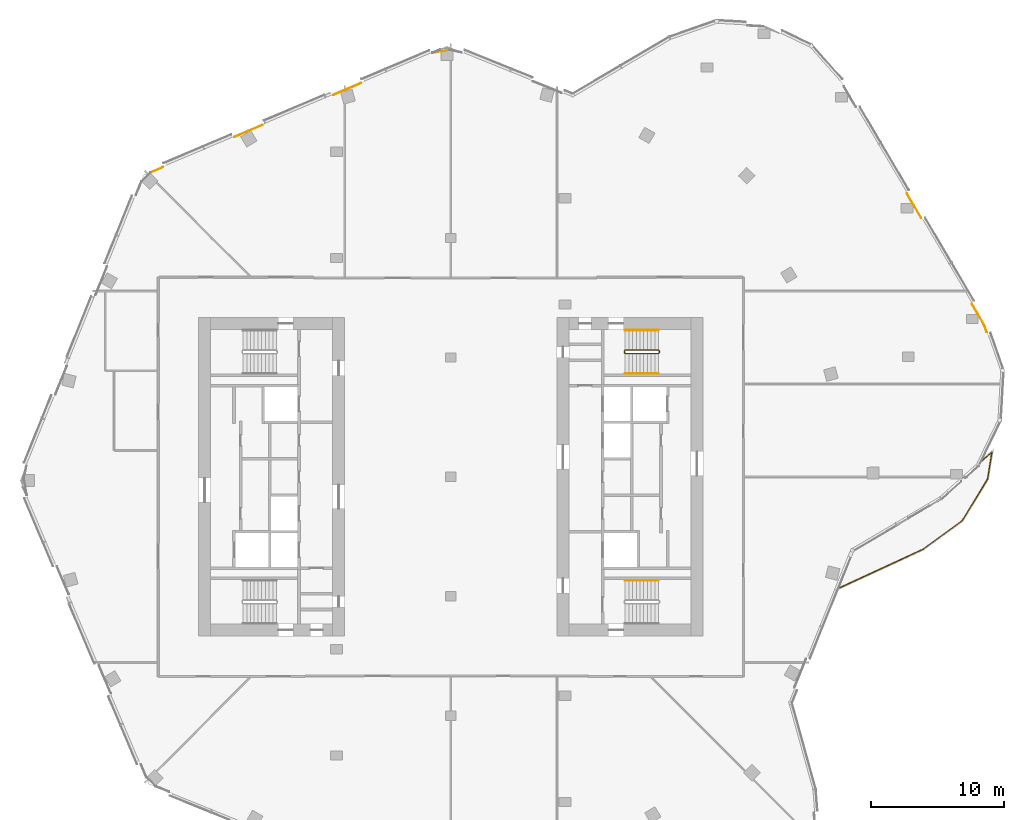
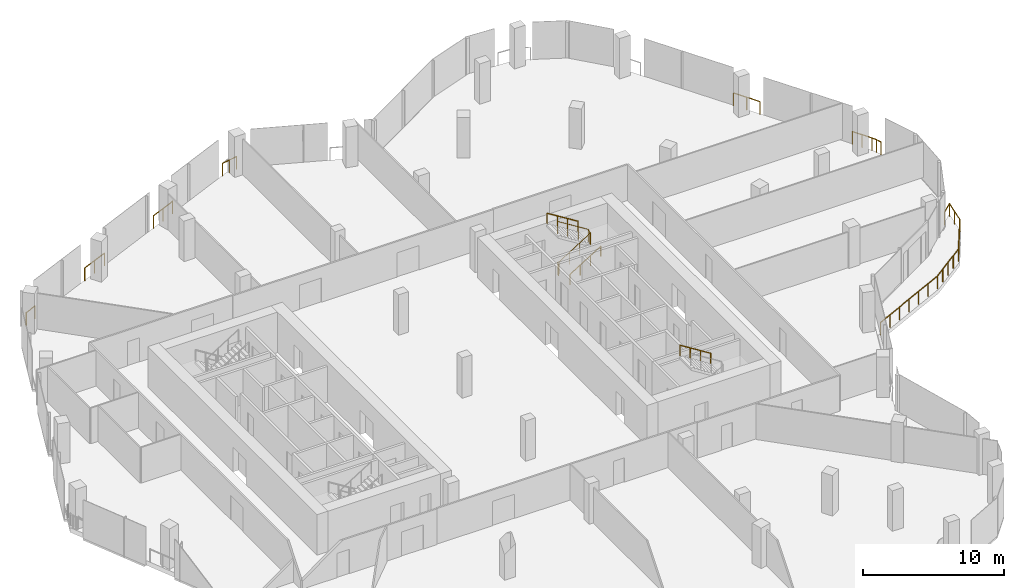
# One storey, part 25 of 26: 11 railings.
"""IFC4 building model written with IfcOpenShell, lengths in metres."""

from ifc_helpers import new_model, si_unit, direction, frame, origin, origin_2d, place, context, subcontext, project, spatial, circle, extrude, material, type_object, element, save


model = new_model("IFC4")

# Units and contexts
model_context = context("Model", 3, precision=1e-05, world=origin(), true_north=direction((0.0, 1.0)))
body_context = subcontext(model_context, "Body", "Model", "MODEL_VIEW")
ifc_project = project(units=[si_unit("LENGTHUNIT", "METRE"), si_unit("AREAUNIT", "SQUARE_METRE"), si_unit("VOLUMEUNIT", "CUBIC_METRE"), si_unit("PLANEANGLEUNIT", "RADIAN"), si_unit("MASSUNIT", "GRAM", prefix="KILO")], contexts=[model_context])

# Site, building, storey
site_placement = place(None, origin())
site = spatial("IfcSite", under=ifc_project, at=site_placement, CompositionType="ELEMENT")
building_placement = place(site_placement, origin())
building = spatial("IfcBuilding", under=site, at=building_placement, Name="Orlundy Tower", CompositionType="ELEMENT")
storey_placement = place(building_placement, frame((0.0, 0.0, 275.39990234375)))
storey = spatial("IfcBuildingStorey", under=building, at=storey_placement, Name="L73", CompositionType="ELEMENT", Elevation=275.39990234375)

# Railings
ifc_material_1 = material(Name="Steel balustrade", Category="steel")
railing_type_1 = type_object("IfcRailingType", Name="Stair Guard 1100", PredefinedType="GUARDRAIL", material=ifc_material_1)
railing_1_placement = place(storey_placement, frame((13.090087890625, 9.35009765625, 0.0)))
element("IfcRailing", 1, at=railing_1_placement, inside=storey, type_object=railing_type_1, Name="L73 ST-E2 stair guard 1", PredefinedType="GUARDRAIL", context=body_context, shape_type="SweptSolid", body=[
    extrude(circle(Radius=0.02392578125, at=origin_2d()), frame((0.0, 0.0, 1.076171875), z_axis=(0.0, 1.0, 0.0), x_axis=(-1.0, 0.0, 0.0)), (0.0, 0.0, 1.0), 0.14990234375),
    extrude(circle(Radius=0.02392578125, at=origin_2d()), frame((0.0, 0.14990234375, 1.076171875), z_axis=(0.18420542264, -0.739530593833, 0.647427882513), x_axis=(0.970351222016, 0.241699205484, 0.0)), (0.0, 0.0, 1.0), 0.270263671875),
    extrude(circle(Radius=0.02392578125, at=origin_2d()), frame((0.0498046875, -0.050048828125, 1.2509765625), z_axis=(0.848007534815, 0.0, 0.529984170421), x_axis=(0.0, 1.0, 0.0)), (0.0, 0.0, 1.0), 2.9716796875),
    extrude(circle(Radius=0.02392578125, at=origin_2d()), frame((2.56982421875, -0.050048828125, 2.826171875), z_axis=(0.707106781187, 0.707106781187, 0.0), x_axis=(-0.707106781187, 0.707106781187, 0.0)), (0.0, 0.0, 1.0), 0.07080078125),
    extrude(circle(Radius=0.02392578125, at=origin_2d()), frame((2.619873046875, 0.0, 2.826171875), z_axis=(0.0, 1.0, 0.0), x_axis=(-1.0, 0.0, 0.0)), (0.0, 0.0, 1.0), 0.14990234375),
    extrude(circle(Radius=0.02392578125, at=origin_2d()), frame((2.619873046875, 0.14990234375, 2.826171875), z_axis=(-0.265065253269, 0.265065253269, 0.927081885822), x_axis=(-0.707106781187, -0.707106781187, 0.0)), (0.0, 0.0, 1.0), 0.188720703125),
    extrude(circle(Radius=0.02392578125, at=origin_2d()), frame((2.56982421875, 0.199951171875, 3.0009765625), z_axis=(-0.848007534815, 0.0, 0.529984170421), x_axis=(0.0, -1.0, 0.0)), (0.0, 0.0, 1.0), 2.9716796875),
    extrude(circle(Radius=0.02099609375, at=origin_2d()), origin(), (0.0, 0.0, 1.0), 1.052001953125),
    extrude(circle(Radius=0.02099609375, at=origin_2d()), frame((0.0, 0.14990234375, 0.0)), (0.0, 0.0, 1.0), 1.052001953125),
    extrude(circle(Radius=0.02099609375, at=origin_2d()), frame((0.0498046875, -0.050048828125, 0.175048828125)), (0.0, 0.0, 1.0), 1.052001953125),
    extrude(circle(Radius=0.02099609375, at=origin_2d()), frame((0.889892578125, -0.050048828125, 0.699951171875)), (0.0, 0.0, 1.0), 1.052001953125),
    extrude(circle(Radius=0.02099609375, at=origin_2d()), frame((1.729736328125, -0.050048828125, 1.22509765625)), (0.0, 0.0, 1.0), 1.052001953125),
    extrude(circle(Radius=0.02099609375, at=origin_2d()), frame((2.56982421875, -0.050048828125, 1.75)), (0.0, 0.0, 1.0), 1.052001953125),
    extrude(circle(Radius=0.02099609375, at=origin_2d()), frame((2.619873046875, 0.0, 1.75)), (0.0, 0.0, 1.0), 1.052001953125),
    extrude(circle(Radius=0.02099609375, at=origin_2d()), frame((2.619873046875, 0.14990234375, 1.75)), (0.0, 0.0, 1.0), 1.052001953125),
    extrude(circle(Radius=0.02099609375, at=origin_2d()), frame((2.56982421875, 0.199951171875, 1.925048828125)), (0.0, 0.0, 1.0), 1.052001953125),
    extrude(circle(Radius=0.02099609375, at=origin_2d()), frame((1.729736328125, 0.199951171875, 2.449951171875)), (0.0, 0.0, 1.0), 1.052001953125),
    extrude(circle(Radius=0.02099609375, at=origin_2d()), frame((0.889892578125, 0.199951171875, 2.97509765625)), (0.0, 0.0, 1.0), 1.052001953125),
    extrude(circle(Radius=0.02099609375, at=origin_2d()), frame((0.0498046875, 0.199951171875, 3.5)), (0.0, 0.0, 1.0), 1.052001953125),
])
ifc_material_2 = material(Name="Steel handrail", Category="steel")
railing_type_2 = type_object("IfcRailingType", Name="Stair Handrail 900", PredefinedType="HANDRAIL", material=ifc_material_2)
railing_2_placement = place(storey_placement, frame((15.659912109375, -7.800048828125, 1.925048828125)))
element("IfcRailing", 2, at=railing_2_placement, inside=storey, type_object=railing_type_2, Name="L73 ST-E1 stair handrail 2", PredefinedType="HANDRAIL", context=body_context, shape_type="SweptSolid", body=[
    extrude(circle(Radius=0.02392578125, at=origin_2d()), frame((0.0, 0.0, 0.8759765625), z_axis=(-0.848007534815, 0.0, 0.529984170421), x_axis=(0.0, -1.0, 0.0)), (0.0, 0.0, 1.0), 2.9716796875),
    extrude(circle(Radius=0.02099609375, at=origin_2d()), origin(), (0.0, 0.0, 1.0), 0.851806640625),
    extrude(circle(Radius=0.02099609375, at=origin_2d()), frame((-0.840087890625, 0.0, 0.52490234375)), (0.0, 0.0, 1.0), 0.851806640625),
    extrude(circle(Radius=0.02099609375, at=origin_2d()), frame((-1.679931640625, 0.0, 1.050048828125)), (0.0, 0.0, 1.0), 0.851806640625),
    extrude(circle(Radius=0.02099609375, at=origin_2d()), frame((-2.52001953125, 0.0, 1.574951171875)), (0.0, 0.0, 1.0), 0.851806640625),
])
railing_3_placement = place(storey_placement, frame((13.139892578125, 7.800048828125, 0.175048828125)))
element("IfcRailing", 3, at=railing_3_placement, inside=storey, type_object=railing_type_2, Name="L73 ST-E2 stair handrail 1", PredefinedType="HANDRAIL", context=body_context, shape_type="SweptSolid", body=[
    extrude(circle(Radius=0.02392578125, at=origin_2d()), frame((0.0, 0.0, 0.8759765625), z_axis=(0.848007534815, 0.0, 0.529984170421), x_axis=(0.0, 1.0, 0.0)), (0.0, 0.0, 1.0), 2.9716796875),
    extrude(circle(Radius=0.02099609375, at=origin_2d()), origin(), (0.0, 0.0, 1.0), 0.851806640625),
    extrude(circle(Radius=0.02099609375, at=origin_2d()), frame((0.840087890625, 0.0, 0.52490234375)), (0.0, 0.0, 1.0), 0.851806640625),
    extrude(circle(Radius=0.02099609375, at=origin_2d()), frame((1.679931640625, 0.0, 1.050048828125)), (0.0, 0.0, 1.0), 0.851806640625),
    extrude(circle(Radius=0.02099609375, at=origin_2d()), frame((2.52001953125, 0.0, 1.574951171875)), (0.0, 0.0, 1.0), 0.851806640625),
])
railing_4_placement = place(storey_placement, frame((15.659912109375, 11.050048828125, 1.925048828125)))
element("IfcRailing", 4, at=railing_4_placement, inside=storey, type_object=railing_type_2, Name="L73 ST-E2 stair handrail 2", PredefinedType="HANDRAIL", context=body_context, shape_type="SweptSolid", body=[
    extrude(circle(Radius=0.02392578125, at=origin_2d()), frame((0.0, 0.0, 0.8759765625), z_axis=(-0.848007534815, 0.0, 0.529984170421), x_axis=(0.0, -1.0, 0.0)), (0.0, 0.0, 1.0), 2.9716796875),
    extrude(circle(Radius=0.02099609375, at=origin_2d()), origin(), (0.0, 0.0, 1.0), 0.851806640625),
    extrude(circle(Radius=0.02099609375, at=origin_2d()), frame((-0.840087890625, 0.0, 0.52490234375)), (0.0, 0.0, 1.0), 0.851806640625),
    extrude(circle(Radius=0.02099609375, at=origin_2d()), frame((-1.679931640625, 0.0, 1.050048828125)), (0.0, 0.0, 1.0), 0.851806640625),
    extrude(circle(Radius=0.02099609375, at=origin_2d()), frame((-2.52001953125, 0.0, 1.574951171875)), (0.0, 0.0, 1.0), 0.851806640625),
])
ifc_material_3 = material(Name="Stainless steel bronze finish", Category="steel")
railing_type_3 = type_object("IfcRailingType", Name="TG1 terrace guard", PredefinedType="GUARDRAIL", material=ifc_material_3)
railing_5_placement = place(storey_placement, frame((39.2880859375, 13.01953125, 0.0)))
element("IfcRailing", 5, at=railing_5_placement, inside=storey, type_object=railing_type_3, Name="Guard TG-L73-E02", PredefinedType="GUARDRAIL", context=body_context, shape_type="SweptSolid", body=[
    extrude(circle(Radius=0.02490234375, at=origin_2d()), frame((0.0, 0.0, 1.09521484375), z_axis=(0.507608230136, -0.861588001715, 0.0), x_axis=(0.861588001715, 0.507608230136, 0.0)), (0.0, 0.0, 1.0), 1.578125),
    extrude(circle(Radius=0.02490234375, at=origin_2d()), frame((0.801025390625, -1.359619140625, 1.09521484375), z_axis=(0.420486139616, -0.907298961969, 0.0), x_axis=(0.907298961969, 0.420486139616, 0.0)), (0.0, 0.0, 1.0), 0.39013671875),
    extrude(circle(Radius=0.02490234375, at=origin_2d()), frame((0.965087890625, -1.713623046875, 1.09521484375), z_axis=(0.32958568732, -0.944125666802, 0.0), x_axis=(0.944125666802, 0.32958568732, 0.0)), (0.0, 0.0, 1.0), 0.4267578125),
    extrude(circle(Radius=0.02001953125, at=origin_2d()), origin(), (0.0, 0.0, 1.0), 1.070068359375),
    extrude(circle(Radius=0.02001953125, at=origin_2d()), frame((0.400390625, -0.6796875, 0.0)), (0.0, 0.0, 1.0), 1.070068359375),
    extrude(circle(Radius=0.02001953125, at=origin_2d()), frame((0.801025390625, -1.359619140625, 0.0)), (0.0, 0.0, 1.0), 1.070068359375),
    extrude(circle(Radius=0.02001953125, at=origin_2d()), frame((0.965087890625, -1.713623046875, 0.0)), (0.0, 0.0, 1.0), 1.070068359375),
    extrude(circle(Radius=0.02001953125, at=origin_2d()), frame((1.105712890625, -2.116455078125, 0.0)), (0.0, 0.0, 1.0), 1.070068359375),
])
railing_6_placement = place(storey_placement, frame((-16.309326171875, 25.625, 0.0)))
element("IfcRailing", 6, at=railing_6_placement, inside=storey, type_object=railing_type_3, Name="Guard TG-L73-E06", PredefinedType="GUARDRAIL", context=body_context, shape_type="SweptSolid", body=[
    extrude(circle(Radius=0.02490234375, at=origin_2d()), frame((0.0, 0.0, 1.09521484375), z_axis=(0.920551905962, 0.390620261162, 0.0), x_axis=(-0.390620261162, 0.920551905962, 0.0)), (0.0, 0.0, 1.0), 2.31494140625),
    extrude(circle(Radius=0.02001953125, at=origin_2d()), origin(), (0.0, 0.0, 1.0), 1.070068359375),
    extrude(circle(Radius=0.02001953125, at=origin_2d()), frame((1.0654296875, 0.4521484375, 0.0)), (0.0, 0.0, 1.0), 1.070068359375),
    extrude(circle(Radius=0.02001953125, at=origin_2d()), frame((2.131103515625, 0.904296875, 0.0)), (0.0, 0.0, 1.0), 1.070068359375),
])
railing_7_placement = place(storey_placement, frame((-8.836181640625, 28.796875, 0.0)))
element("IfcRailing", 7, at=railing_7_placement, inside=storey, type_object=railing_type_3, Name="Guard TG-L73-E011", PredefinedType="GUARDRAIL", context=body_context, shape_type="SweptSolid", body=[
    extrude(circle(Radius=0.02490234375, at=origin_2d()), frame((0.0, 0.0, 1.09521484375), z_axis=(0.920488250877, 0.390770239396, 0.0), x_axis=(-0.390770239396, 0.920488250877, 0.0)), (0.0, 0.0, 1.0), 2.247314453125),
    extrude(circle(Radius=0.02001953125, at=origin_2d()), origin(), (0.0, 0.0, 1.0), 1.070068359375),
    extrude(circle(Radius=0.02001953125, at=origin_2d()), frame((1.0341796875, 0.43896484375, 0.0)), (0.0, 0.0, 1.0), 1.070068359375),
    extrude(circle(Radius=0.02001953125, at=origin_2d()), frame((2.068603515625, 0.878173828125, 0.0)), (0.0, 0.0, 1.0), 1.070068359375),
])
railing_8_placement = place(storey_placement, frame((34.371826171875, 21.365966796875, 0.0)))
element("IfcRailing", 8, at=railing_8_placement, inside=storey, type_object=railing_type_3, Name="Guard TG-L73-E012", PredefinedType="GUARDRAIL", context=body_context, shape_type="SweptSolid", body=[
    extrude(circle(Radius=0.02490234375, at=origin_2d()), frame((0.0, 0.0, 1.09521484375), z_axis=(0.507560302161, -0.861616236889, 0.0), x_axis=(0.861616236889, 0.507560302161, 0.0)), (0.0, 0.0, 1.0), 2.1328125),
    extrude(circle(Radius=0.02001953125, at=origin_2d()), origin(), (0.0, 0.0, 1.0), 1.070068359375),
    extrude(circle(Radius=0.02001953125, at=origin_2d()), frame((0.541259765625, -0.9189453125, 0.0)), (0.0, 0.0, 1.0), 1.070068359375),
    extrude(circle(Radius=0.02001953125, at=origin_2d()), frame((1.08251953125, -1.837646484375, 0.0)), (0.0, 0.0, 1.0), 1.070068359375),
])
railing_9_placement = place(storey_placement, frame((-1.37548828125, 31.9638671875, 0.0)))
element("IfcRailing", 9, at=railing_9_placement, inside=storey, type_object=railing_type_3, Name="Guard TG-L73-E018", PredefinedType="GUARDRAIL", context=body_context, shape_type="SweptSolid", body=[
    extrude(circle(Radius=0.02490234375, at=origin_2d()), frame((0.0, 0.0, 1.09521484375), z_axis=(0.985654147137, 0.168777671009, 0.0), x_axis=(-0.168777671009, 0.985654147137, 0.0)), (0.0, 0.0, 1.0), 1.310546875),
    extrude(circle(Radius=0.02001953125, at=origin_2d()), origin(), (0.0, 0.0, 1.0), 1.070068359375),
    extrude(circle(Radius=0.02001953125, at=origin_2d()), frame((0.64599609375, 0.110595703125, 0.0)), (0.0, 0.0, 1.0), 1.070068359375),
    extrude(circle(Radius=0.02001953125, at=origin_2d()), frame((1.291748046875, 0.22119140625, 0.0)), (0.0, 0.0, 1.0), 1.070068359375),
])
railing_10_placement = place(storey_placement, frame((-22.651123046875, 22.93310546875, 0.0)))
element("IfcRailing", 10, at=railing_10_placement, inside=storey, type_object=railing_type_3, Name="Guard TG-L73-E022", PredefinedType="GUARDRAIL", context=body_context, shape_type="SweptSolid", body=[
    extrude(circle(Radius=0.02490234375, at=origin_2d()), frame((0.0, 0.0, 1.09521484375), z_axis=(0.92055896885, 0.390603616047, 0.0), x_axis=(-0.390603616047, 0.92055896885, 0.0)), (0.0, 0.0, 1.0), 1.04931640625),
    extrude(circle(Radius=0.02001953125, at=origin_2d()), origin(), (0.0, 0.0, 1.0), 1.070068359375),
    extrude(circle(Radius=0.02001953125, at=origin_2d()), frame((0.966064453125, 0.409912109375, 0.0)), (0.0, 0.0, 1.0), 1.070068359375),
])
railing_11_placement = place(storey_placement, frame((39.94189453125, 1.115966796875, 0.0)))
element("IfcRailing", 11, at=railing_11_placement, inside=storey, type_object=railing_type_3, Name="Guard TG-L73-00", PredefinedType="GUARDRAIL", context=body_context, shape_type="SweptSolid", body=[
    extrude(circle(Radius=0.02490234375, at=origin_2d()), frame((0.0, 0.0, 1.09521484375), z_axis=(0.746217183394, 0.665702572631, 0.0), x_axis=(-0.665702572631, 0.746217183394, 0.0)), (0.0, 0.0, 1.0), 1.131103515625),
    extrude(circle(Radius=0.02490234375, at=origin_2d()), frame((0.843994140625, 0.7529296875, 1.09521484375), z_axis=(-0.159626193281, -0.987177531358, 0.0), x_axis=(0.987177531358, -0.159626193281, 0.0)), (0.0, 0.0, 1.0), 2.06640625),
    extrude(circle(Radius=0.02490234375, at=origin_2d()), frame((0.51416015625, -1.286865234375, 1.09521484375), z_axis=(-0.521150909298, -0.853464545097, 0.0), x_axis=(0.853464545097, -0.521150909298, 0.0)), (0.0, 0.0, 1.0), 3.665283203125),
    extrude(circle(Radius=0.02490234375, at=origin_2d()), frame((-1.39599609375, -4.4150390625, 1.09521484375), z_axis=(-0.808172823758, -0.588945402341, 0.0), x_axis=(0.588945402341, -0.808172823758, 0.0)), (0.0, 0.0, 1.0), 3.676025390625),
    extrude(circle(Radius=0.02490234375, at=origin_2d()), frame((-4.366943359375, -6.580078125, 1.09521484375), z_axis=(-0.907590164229, -0.419857230252, 0.0), x_axis=(0.419857230252, -0.907590164229, 0.0)), (0.0, 0.0, 1.0), 7.031982421875),
    extrude(circle(Radius=0.02001953125, at=origin_2d()), origin(), (0.0, 0.0, 1.0), 1.070068359375),
    extrude(circle(Radius=0.02001953125, at=origin_2d()), frame((0.843994140625, 0.7529296875, 0.0)), (0.0, 0.0, 1.0), 1.070068359375),
    extrude(circle(Radius=0.02001953125, at=origin_2d()), frame((0.67919921875, -0.26708984375, 0.0)), (0.0, 0.0, 1.0), 1.070068359375),
    extrude(circle(Radius=0.02001953125, at=origin_2d()), frame((0.51416015625, -1.286865234375, 0.0)), (0.0, 0.0, 1.0), 1.070068359375),
    extrude(circle(Radius=0.02001953125, at=origin_2d()), frame((0.03662109375, -2.06884765625, 0.0)), (0.0, 0.0, 1.0), 1.070068359375),
    extrude(circle(Radius=0.02001953125, at=origin_2d()), frame((-0.44091796875, -2.85107421875, 0.0)), (0.0, 0.0, 1.0), 1.070068359375),
    extrude(circle(Radius=0.02001953125, at=origin_2d()), frame((-0.91845703125, -3.633056640625, 0.0)), (0.0, 0.0, 1.0), 1.070068359375),
    extrude(circle(Radius=0.02001953125, at=origin_2d()), frame((-1.39599609375, -4.4150390625, 0.0)), (0.0, 0.0, 1.0), 1.070068359375),
    extrude(circle(Radius=0.02001953125, at=origin_2d()), frame((-2.138671875, -4.956298828125, 0.0)), (0.0, 0.0, 1.0), 1.070068359375),
    extrude(circle(Radius=0.02001953125, at=origin_2d()), frame((-2.88134765625, -5.49755859375, 0.0)), (0.0, 0.0, 1.0), 1.070068359375),
    extrude(circle(Radius=0.02001953125, at=origin_2d()), frame((-3.624267578125, -6.038818359375, 0.0)), (0.0, 0.0, 1.0), 1.070068359375),
    extrude(circle(Radius=0.02001953125, at=origin_2d()), frame((-4.366943359375, -6.580078125, 0.0)), (0.0, 0.0, 1.0), 1.070068359375),
    extrude(circle(Radius=0.02001953125, at=origin_2d()), frame((-5.4306640625, -7.072265625, 0.0)), (0.0, 0.0, 1.0), 1.070068359375),
    extrude(circle(Radius=0.02001953125, at=origin_2d()), frame((-6.494384765625, -7.564208984375, 0.0)), (0.0, 0.0, 1.0), 1.070068359375),
    extrude(circle(Radius=0.02001953125, at=origin_2d()), frame((-7.55810546875, -8.05615234375, 0.0)), (0.0, 0.0, 1.0), 1.070068359375),
    extrude(circle(Radius=0.02001953125, at=origin_2d()), frame((-8.62158203125, -8.54833984375, 0.0)), (0.0, 0.0, 1.0), 1.070068359375),
    extrude(circle(Radius=0.02001953125, at=origin_2d()), frame((-9.685302734375, -9.04052734375, 0.0)), (0.0, 0.0, 1.0), 1.070068359375),
    extrude(circle(Radius=0.02001953125, at=origin_2d()), frame((-10.7490234375, -9.532470703125, 0.0)), (0.0, 0.0, 1.0), 1.070068359375),
])

save(model, "model.ifc")
